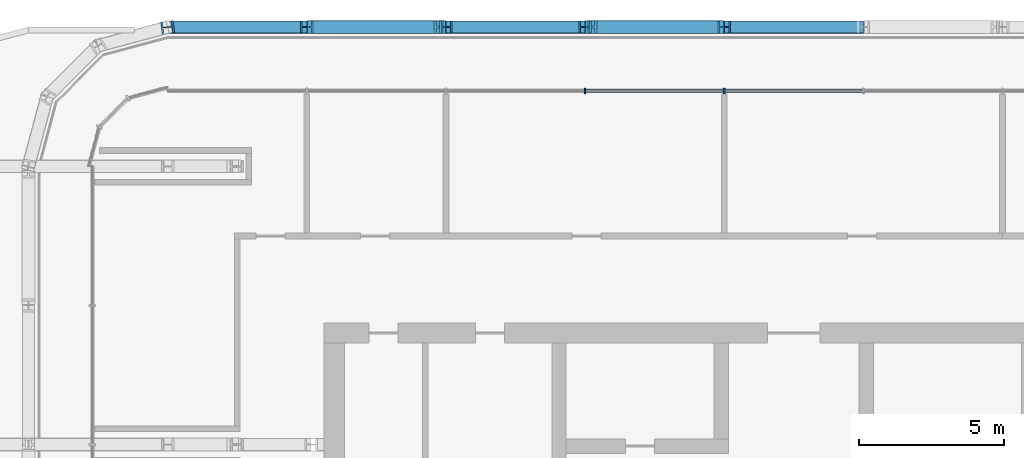
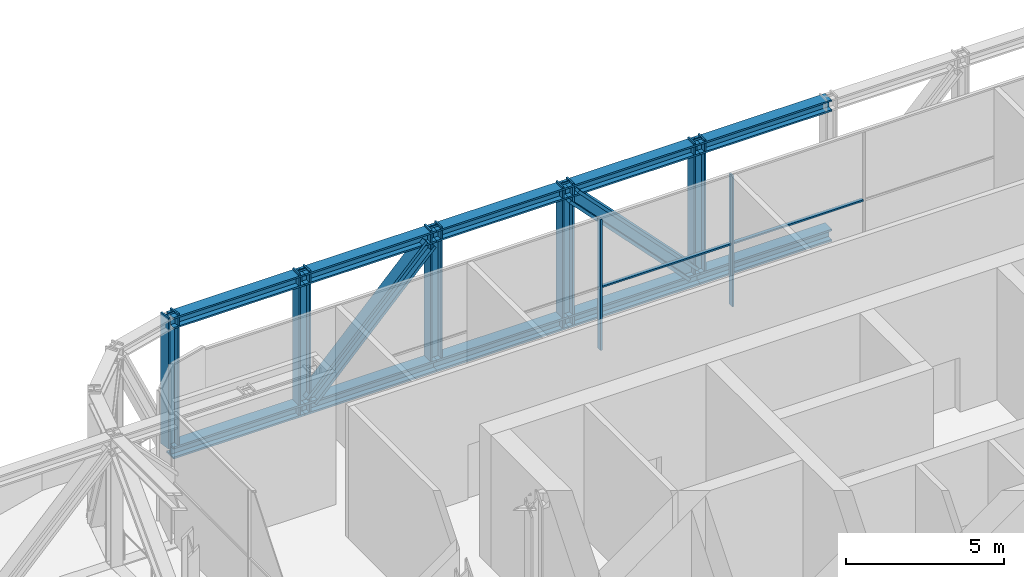
# One storey, part 13 of 30: 21 members, 1 element without a shape of its own.
"""IFC4 building model written with IfcOpenShell, lengths in metres."""

from ifc_helpers import new_model, si_unit, direction, frame, origin, origin_2d, place, context, subcontext, project, spatial, rectangle, i_section, extrude, material, layer, layer_set, material_profile, profile_set, type_object, element, aggregate, save


model = new_model("IFC4")

# Units and contexts
model_context = context("Model", 3, precision=1e-05, world=origin(), true_north=direction((0.0, 1.0)))
body_context = subcontext(model_context, "Body", "Model", "MODEL_VIEW")
ifc_project = project(units=[si_unit("LENGTHUNIT", "METRE"), si_unit("AREAUNIT", "SQUARE_METRE"), si_unit("VOLUMEUNIT", "CUBIC_METRE"), si_unit("PLANEANGLEUNIT", "RADIAN"), si_unit("MASSUNIT", "GRAM", prefix="KILO")], contexts=[model_context])

# Site, building, storey
site_placement = place(None, origin())
site = spatial("IfcSite", under=ifc_project, at=site_placement, CompositionType="ELEMENT")
building_placement = place(site_placement, origin())
building = spatial("IfcBuilding", under=site, at=building_placement, Name="Madar Terraces", CompositionType="ELEMENT")
storey_placement = place(building_placement, frame((0.0, 0.0, 173.5)))
storey = spatial("IfcBuildingStorey", under=building, at=storey_placement, Name="L45", CompositionType="ELEMENT", Elevation=173.5)

# Members
ifc_material_1 = material(Name="Steel ASTM A913 Grade 65", Category="steel")
ifc_material_profile_1 = material_profile(ifc_material_1, i_section(OverallWidth=0.421630859375, OverallDepth=0.46484375, WebThickness=0.044921875, FlangeThickness=0.072509765625, at=origin_2d()), Name="W14x398")
ifc_profile_set_1 = profile_set([ifc_material_profile_1], Name="Steel ASTM A913 Grade 65")
member_type_1 = type_object("IfcMemberType", Name="BC6 W14x398", PredefinedType="CHORD", material=ifc_profile_set_1)
for number, where, z_axis, x_axis, name in (
    (1, (33.60009765625, 48.0, -0.1875), (-1.0, 0.0, 0.0), (0.0, -1.0, 0.0), "Exoskeleton truss ring bottom chord BC6"),
    (2, (28.800048828125, 48.0, -0.1875), (-1.0, 0.0, 0.0), (0.0, -1.0, 0.0), "Exoskeleton truss ring bottom chord BC6"),
    (3, (24.0, 48.0, -0.1875), (-1.0, 0.0, 0.0), (0.0, -1.0, 0.0), "Exoskeleton truss ring bottom chord BC6"),
    (4, (19.199951171875, 48.0, -0.1875), (-1.0, 0.0, 0.0), (0.0, -1.0, 0.0), "Exoskeleton truss ring bottom chord BC6"),
):
    element("IfcMember", number, at=place(storey_placement, frame(where, z_axis=z_axis, x_axis=x_axis)), inside=storey, type_object=member_type_1, Name=name, PredefinedType="CHORD", context=body_context, shape_type="SweptSolid", body=[
        extrude(i_section(OverallWidth=0.421630859375, OverallDepth=0.46484375, WebThickness=0.044921875, FlangeThickness=0.072509765625, at=origin_2d()), origin(), (0.0, 0.0, 1.0), 4.800048828125),
    ])
member_1_placement = place(storey_placement, frame((14.39990234375, 48.0, -0.1875), z_axis=(-1.0, 0.0, 0.0), x_axis=(0.0, -1.0, 0.0)))
element("IfcMember", 5, at=member_1_placement, inside=storey, type_object=member_type_1, Name="Exoskeleton truss ring bottom chord BC6", PredefinedType="CHORD", context=body_context, shape_type="SweptSolid", body=[
    extrude(i_section(OverallWidth=0.421630859375, OverallDepth=0.46484375, WebThickness=0.044921875, FlangeThickness=0.072509765625, at=origin_2d()), origin(), (0.0, 0.0, 1.0), 4.7998046875),
])

# Curtain wall, members
ifc_material_2 = material(Name="Glass, ceramic frit dark grey, with black aluminium frame", Category="aluminium")
ifc_layer = layer(ifc_material_2, 0.199951171875)
ifc_layer_set = layer_set([ifc_layer], Name="Facade curtain wall, tall glazing")
curtain_wall_type = type_object("IfcCurtainWallType", Name="Facade curtain wall, tall glazing", PredefinedType="NOTDEFINED", material=ifc_layer_set)
curtain_wall_placement = place(storey_placement, origin())
curtain_wall = element("IfcCurtainWall", 6, at=curtain_wall_placement, inside=storey, type_object=curtain_wall_type, Name="Outer skin curtain wall north bay 1", PredefinedType="NOTDEFINED")
ifc_material_3 = material(Name="Aluminium, black anodised", Category="aluminium")
ifc_material_profile_2 = material_profile(ifc_material_3, rectangle(XDim=0.199951171875, YDim=0.06005859375, at=origin_2d()), Name="Facade mullion 60x200")
ifc_profile_set_2 = profile_set([ifc_material_profile_2], Name="Aluminium, black anodised")
member_type_2 = type_object("IfcMemberType", Name="Facade mullion 60x200", PredefinedType="MULLION", material=ifc_profile_set_2)
member_2_placement = place(storey_placement, frame((28.800048828125, 45.800048828125, 0.0), z_axis=(0.0, 0.0, 1.0), x_axis=(0.0, -1.0, 0.0)))
member_2 = element("IfcMember", 7, at=member_2_placement, type_object=member_type_2, Name="Mullion 6", PredefinedType="MULLION", context=body_context, shape_type="SweptSolid", body=[
    extrude(rectangle(XDim=0.199951171875, YDim=0.06005859375, at=origin_2d()), origin(), (0.0, 0.0, 1.0), 5.0400390625),
])
member_3_placement = place(storey_placement, frame((24.0, 45.800048828125, 0.0), z_axis=(0.0, 0.0, 1.0), x_axis=(0.0, -1.0, 0.0)))
member_3 = element("IfcMember", 8, at=member_3_placement, type_object=member_type_2, Name="Mullion 7", PredefinedType="MULLION", context=body_context, shape_type="SweptSolid", body=[
    extrude(rectangle(XDim=0.199951171875, YDim=0.06005859375, at=origin_2d()), origin(), (0.0, 0.0, 1.0), 5.0400390625),
])
ifc_material_4 = material(Name="Aluminium, black anodised", Category="aluminium")
ifc_material_profile_3 = material_profile(ifc_material_4, rectangle(XDim=0.1201171875, YDim=0.06005859375, at=origin_2d()), Name="Facade transom 60x120")
ifc_profile_set_3 = profile_set([ifc_material_profile_3], Name="Aluminium, black anodised")
member_type_3 = type_object("IfcMemberType", Name="Facade transom 60x120", PredefinedType="USERDEFINED", material=ifc_profile_set_3)
member_4_placement = place(storey_placement, frame((33.570068359375, 45.800048828125, 2.39990234375), z_axis=(-1.0, 0.0, 0.0), x_axis=(0.0, -1.0, 0.0)))
member_4 = element("IfcMember", 9, at=member_4_placement, type_object=member_type_3, Name="Transom 7", ObjectType="TRANSOM", PredefinedType="USERDEFINED", context=body_context, shape_type="SweptSolid", body=[
    extrude(rectangle(XDim=0.1201171875, YDim=0.06005859375, at=origin_2d()), origin(), (0.0, 0.0, 1.0), 4.739990234375),
])
member_5_placement = place(storey_placement, frame((28.77001953125, 45.800048828125, 2.39990234375), z_axis=(-1.0, 0.0, 0.0), x_axis=(0.0, -1.0, 0.0)))
member_5 = element("IfcMember", 10, at=member_5_placement, type_object=member_type_3, Name="Transom 8", ObjectType="TRANSOM", PredefinedType="USERDEFINED", context=body_context, shape_type="SweptSolid", body=[
    extrude(rectangle(XDim=0.1201171875, YDim=0.06005859375, at=origin_2d()), origin(), (0.0, 0.0, 1.0), 4.739990234375),
])
aggregate(curtain_wall, [member_2, member_3, member_4, member_5])

# Members
ifc_material_5 = material(Name="Steel ASTM A913 Grade 65", Category="steel")
ifc_material_profile_4 = material_profile(ifc_material_5, i_section(OverallWidth=0.41650390625, OverallDepth=0.444580078125, WebThickness=0.0390625, FlangeThickness=0.062744140625, at=origin_2d()), Name="W14x342")
ifc_profile_set_4 = profile_set([ifc_material_profile_4], Name="Steel ASTM A913 Grade 65")
member_type_4 = type_object("IfcMemberType", Name="TC6 W14x342", PredefinedType="CHORD", material=ifc_profile_set_4)
for number, where, z_axis, x_axis, name in (
    (11, (33.60009765625, 48.0, 4.807861328125), (-1.0, 0.0, 0.0), (0.0, -1.0, 0.0), "Exoskeleton truss ring top chord TC6"),
    (12, (28.800048828125, 48.0, 4.807861328125), (-1.0, 0.0, 0.0), (0.0, -1.0, 0.0), "Exoskeleton truss ring top chord TC6"),
    (13, (24.0, 48.0, 4.807861328125), (-1.0, 0.0, 0.0), (0.0, -1.0, 0.0), "Exoskeleton truss ring top chord TC6"),
    (14, (19.199951171875, 48.0, 4.807861328125), (-1.0, 0.0, 0.0), (0.0, -1.0, 0.0), "Exoskeleton truss ring top chord TC6"),
):
    element("IfcMember", number, at=place(storey_placement, frame(where, z_axis=z_axis, x_axis=x_axis)), inside=storey, type_object=member_type_4, Name=name, PredefinedType="CHORD", context=body_context, shape_type="SweptSolid", body=[
        extrude(i_section(OverallWidth=0.41650390625, OverallDepth=0.444580078125, WebThickness=0.0390625, FlangeThickness=0.062744140625, at=origin_2d()), origin(), (0.0, 0.0, 1.0), 4.800048828125),
    ])
member_6_placement = place(storey_placement, frame((14.39990234375, 48.0, 4.807861328125), z_axis=(-1.0, 0.0, 0.0), x_axis=(0.0, -1.0, 0.0)))
element("IfcMember", 15, at=member_6_placement, inside=storey, type_object=member_type_4, Name="Exoskeleton truss ring top chord TC6", PredefinedType="CHORD", context=body_context, shape_type="SweptSolid", body=[
    extrude(i_section(OverallWidth=0.41650390625, OverallDepth=0.444580078125, WebThickness=0.0390625, FlangeThickness=0.062744140625, at=origin_2d()), origin(), (0.0, 0.0, 1.0), 4.7998046875),
])
ifc_material_6 = material(Name="Steel ASTM A913 Grade 65", Category="steel")
ifc_material_profile_5 = material_profile(ifc_material_6, i_section(OverallWidth=0.44189453125, OverallDepth=0.53076171875, WebThickness=0.06591796875, FlangeThickness=0.105712890625, at=origin_2d()), Name="W14x605")
ifc_profile_set_5 = profile_set([ifc_material_profile_5], Name="Steel ASTM A913 Grade 65")
member_type_5 = type_object("IfcMemberType", Name="TD6 W14x605", PredefinedType="BRACE", material=ifc_profile_set_5)
for number, where, z_axis, x_axis, name in (
    (16, (28.57666015625, 48.0, 0.044921875), (-0.692873133915, 0.0, 0.721059512314), (0.0, -1.0, 0.0), "Exoskeleton truss ring diagonal TD6"),
    (17, (18.986328125, 48.0, 4.58544921875), (-0.692873133915, 0.0, -0.721059512314), (0.0, -1.0, 0.0), "Exoskeleton truss ring diagonal TD6"),
):
    element("IfcMember", number, at=place(storey_placement, frame(where, z_axis=z_axis, x_axis=x_axis)), inside=storey, type_object=member_type_5, Name=name, PredefinedType="BRACE", context=body_context, shape_type="SweptSolid", body=[
        extrude(i_section(OverallWidth=0.44189453125, OverallDepth=0.53076171875, WebThickness=0.06591796875, FlangeThickness=0.105712890625, at=origin_2d()), origin(), (0.0, 0.0, 1.0), 6.297119140625),
    ])
ifc_material_7 = material(Name="Steel ASTM A913 Grade 65", Category="steel")
ifc_material_profile_6 = material_profile(ifc_material_7, i_section(OverallWidth=0.411376953125, OverallDepth=0.434326171875, WebThickness=0.035888671875, FlangeThickness=0.057373046875, at=origin_2d()), Name="W14x311")
ifc_profile_set_6 = profile_set([ifc_material_profile_6], Name="Steel ASTM A913 Grade 65")
member_type_6 = type_object("IfcMemberType", Name="TV6 W14x311", PredefinedType="POST", material=ifc_profile_set_6)
member_7_placement = place(storey_placement, frame((28.800048828125, 48.0, 0.044921875), z_axis=(0.0, 0.0, 1.0), x_axis=(0.0, -1.0, 0.0)))
element("IfcMember", 18, at=member_7_placement, inside=storey, type_object=member_type_6, Name="Exoskeleton truss ring post TV6", PredefinedType="POST", context=body_context, shape_type="SweptSolid", body=[
    extrude(i_section(OverallWidth=0.411376953125, OverallDepth=0.434326171875, WebThickness=0.035888671875, FlangeThickness=0.057373046875, at=origin_2d()), origin(), (0.0, 0.0, 1.0), 5.05517578125),
])
member_8_placement = place(storey_placement, frame((24.0, 48.0, -0.419921875), z_axis=(0.0, 0.0, 1.0), x_axis=(0.0, -1.0, 0.0)))
element("IfcMember", 19, at=member_8_placement, inside=storey, type_object=member_type_6, Name="Exoskeleton truss ring post TV6", PredefinedType="POST", context=body_context, shape_type="SweptSolid", body=[
    extrude(i_section(OverallWidth=0.411376953125, OverallDepth=0.434326171875, WebThickness=0.035888671875, FlangeThickness=0.057373046875, at=origin_2d()), origin(), (0.0, 0.0, 1.0), 5.52001953125),
])
member_9_placement = place(storey_placement, frame((19.199951171875, 48.0, 0.044921875), z_axis=(0.0, 0.0, 1.0), x_axis=(0.0, -1.0, 0.0)))
element("IfcMember", 20, at=member_9_placement, inside=storey, type_object=member_type_6, Name="Exoskeleton truss ring post TV6", PredefinedType="POST", context=body_context, shape_type="SweptSolid", body=[
    extrude(i_section(OverallWidth=0.411376953125, OverallDepth=0.434326171875, WebThickness=0.035888671875, FlangeThickness=0.057373046875, at=origin_2d()), origin(), (0.0, 0.0, 1.0), 5.05517578125),
])
member_10_placement = place(storey_placement, frame((14.39990234375, 48.0, -0.419921875), z_axis=(0.0, 0.0, 1.0), x_axis=(0.0, -1.0, 0.0)))
element("IfcMember", 21, at=member_10_placement, inside=storey, type_object=member_type_6, Name="Exoskeleton truss ring post TV6", PredefinedType="POST", context=body_context, shape_type="SweptSolid", body=[
    extrude(i_section(OverallWidth=0.411376953125, OverallDepth=0.434326171875, WebThickness=0.035888671875, FlangeThickness=0.057373046875, at=origin_2d()), origin(), (0.0, 0.0, 1.0), 5.52001953125),
])
member_11_placement = place(storey_placement, frame((9.60009765625, 48.0, 0.044921875), z_axis=(0.0, 0.0, 1.0), x_axis=(0.130526174916, -0.991444863652, 0.0)))
element("IfcMember", 22, at=member_11_placement, inside=storey, type_object=member_type_6, Name="Exoskeleton truss ring post TV6", PredefinedType="POST", context=body_context, shape_type="SweptSolid", body=[
    extrude(i_section(OverallWidth=0.411376953125, OverallDepth=0.434326171875, WebThickness=0.035888671875, FlangeThickness=0.057373046875, at=origin_2d()), origin(), (0.0, 0.0, 1.0), 5.05517578125),
])

save(model, "model.ifc")
